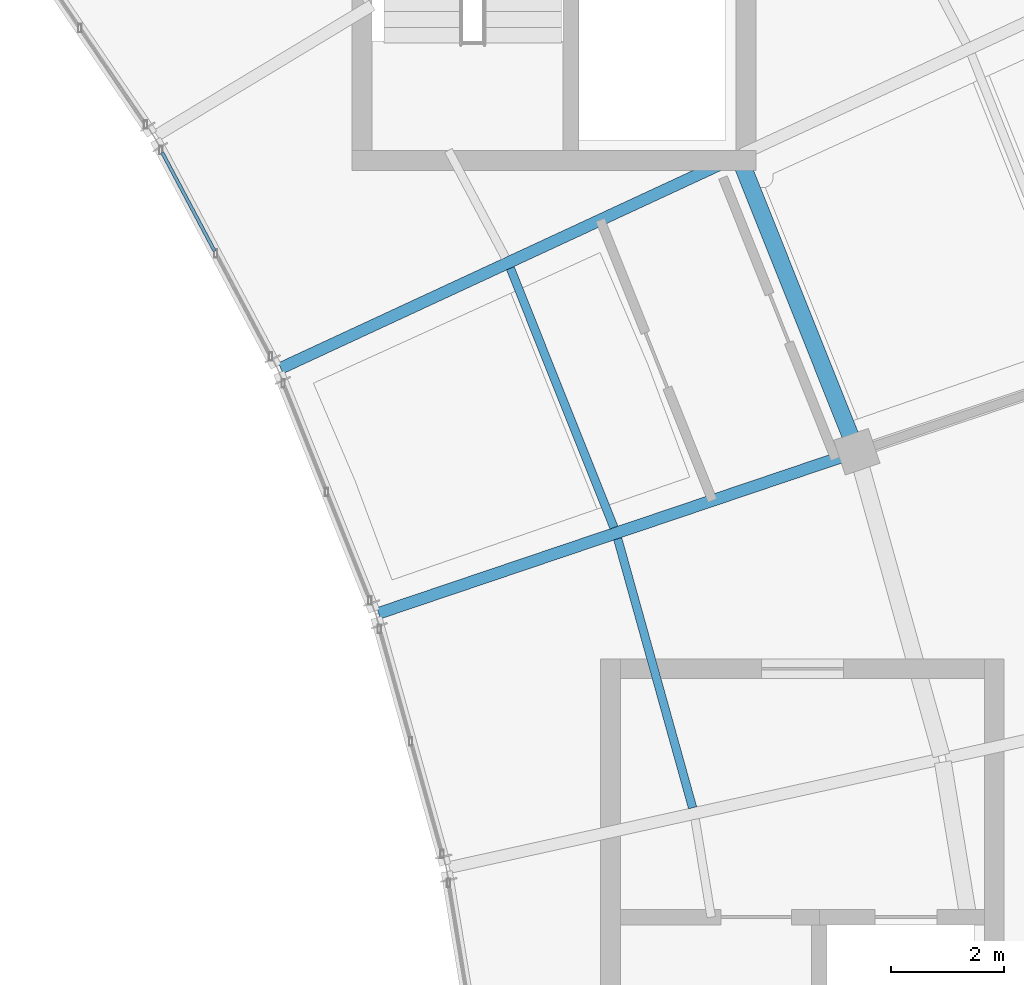
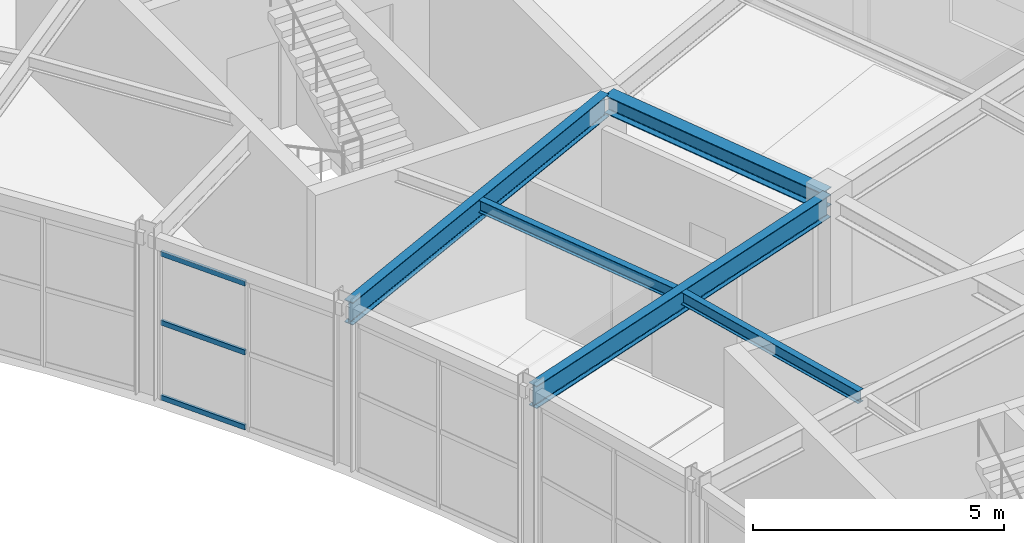
# One storey, part 35 of 63: 5 beams, 3 members, 1 element without a shape of its own.
"""IFC4 building model written with IfcOpenShell, lengths in metres."""

from ifc_helpers import new_model, si_unit, direction, frame, origin, origin_2d, place, context, subcontext, project, spatial, hollow_rectangle, i_section, extrude, material, material_profile, profile_set, type_object, element, aggregate, save


model = new_model("IFC4")

# Units and contexts
model_context = context("Model", 3, precision=1e-05, world=origin(), true_north=direction((0.0, 1.0)))
body_context = subcontext(model_context, "Body", "Model", "MODEL_VIEW")
ifc_project = project(units=[si_unit("LENGTHUNIT", "METRE"), si_unit("AREAUNIT", "SQUARE_METRE"), si_unit("VOLUMEUNIT", "CUBIC_METRE"), si_unit("PLANEANGLEUNIT", "RADIAN"), si_unit("MASSUNIT", "GRAM", prefix="KILO")], contexts=[model_context])

# Site, building, storey
site_placement = place(None, origin())
site = spatial("IfcSite", under=ifc_project, at=site_placement, CompositionType="ELEMENT")
building_placement = place(site_placement, origin())
building = spatial("IfcBuilding", under=site, at=building_placement, Name="Tarnveldt Headland Concert Hall", CompositionType="ELEMENT")
storey_placement = place(building_placement, frame((0.0, 0.0, 14.39990234375)))
storey = spatial("IfcBuildingStorey", under=building, at=storey_placement, Name="L03", CompositionType="ELEMENT", Elevation=14.39990234375)

# Beams
ifc_material_1 = material(Name="Steel S355", Category="steel")
ifc_material_profile_1 = material_profile(ifc_material_1, i_section(OverallWidth=0.300048828125, OverallDepth=0.43994140625, WebThickness=0.011474609375, FlangeThickness=0.02099609375, FilletRadius=0.027099609375, at=origin_2d()), Name="HEA450", Category="steel")
ifc_profile_set_1 = profile_set([ifc_material_profile_1], Name="Steel S355")
beam_type_1 = type_object("IfcBeamType", Name="SB-HEA450", PredefinedType="BEAM", material=ifc_profile_set_1)
beam_1_placement = place(storey_placement, frame((166.7421875, 76.698974609375, 3.739990234375), z_axis=(-0.370963937019, 0.928647272882, 0.0), x_axis=(-0.928647272882, -0.370963937019, 0.0)))
element("IfcBeam", 1, at=beam_1_placement, inside=storey, type_object=beam_type_1, Name="Framing beam L03-1291", PredefinedType="BEAM", context=body_context, shape_type="SweptSolid", body=[
    extrude(i_section(OverallWidth=0.300048828125, OverallDepth=0.43994140625, WebThickness=0.011474609375, FlangeThickness=0.02099609375, FilletRadius=0.027099609375, at=origin_2d()), origin(), (0.0, 0.0, 1.0), 5.5244140625),
])
ifc_material_profile_2 = material_profile(ifc_material_1, i_section(OverallWidth=0.14990234375, OverallDepth=0.300048828125, WebThickness=0.007080078125, FlangeThickness=0.0107421875, FilletRadius=0.014892578125, at=origin_2d()), Name="IPE300", Category="steel")
ifc_profile_set_2 = profile_set([ifc_material_profile_2], Name="Steel S355")
beam_type_2 = type_object("IfcBeamType", Name="SB-IPE300", PredefinedType="JOIST", material=ifc_profile_set_2)
beam_2_placement = place(storey_placement, frame((163.855712890625, 70.337158203125, 3.81005859375), z_axis=(-0.268142838284, 0.963379166412, 0.0), x_axis=(-0.963379166412, -0.268142838284, 0.0)))
element("IfcBeam", 2, at=beam_2_placement, inside=storey, type_object=beam_type_2, Name="Framing beam L03-1286", PredefinedType="JOIST", context=body_context, shape_type="SweptSolid", body=[
    extrude(i_section(OverallWidth=0.14990234375, OverallDepth=0.300048828125, WebThickness=0.007080078125, FlangeThickness=0.0107421875, FilletRadius=0.014892578125, at=origin_2d()), origin(), (0.0, 0.0, 1.0), 4.94580078125),
])
beam_3_placement = place(storey_placement, frame((162.46240234375, 75.30029296875, 3.81005859375), z_axis=(-0.370999157562, 0.928633202663, 0.0), x_axis=(-0.928633202663, -0.370999157562, 0.0)))
element("IfcBeam", 3, at=beam_3_placement, inside=storey, type_object=beam_type_2, Name="Framing beam L03-1293", PredefinedType="JOIST", context=body_context, shape_type="SweptSolid", body=[
    extrude(i_section(OverallWidth=0.14990234375, OverallDepth=0.300048828125, WebThickness=0.007080078125, FlangeThickness=0.0107421875, FilletRadius=0.014892578125, at=origin_2d()), origin(), (0.0, 0.0, 1.0), 4.946044921875),
])
ifc_material_profile_3 = material_profile(ifc_material_1, i_section(OverallWidth=0.2099609375, OverallDepth=0.550048828125, WebThickness=0.010986328125, FlangeThickness=0.01708984375, FilletRadius=0.02392578125, at=origin_2d()), Name="IPE550", Category="steel")
ifc_profile_set_3 = profile_set([ifc_material_profile_3], Name="Steel S355")
beam_type_3 = type_object("IfcBeamType", Name="SB-IPE550", PredefinedType="BEAM", material=ifc_profile_set_3)
beam_4_placement = place(storey_placement, frame((158.294921875, 73.781982421875, 3.68505859375), z_axis=(0.947399878297, 0.320052293545, 0.0), x_axis=(-0.320052293545, 0.947399878297, 0.0)))
element("IfcBeam", 4, at=beam_4_placement, inside=storey, type_object=beam_type_3, Name="Framing beam L03-1288", PredefinedType="BEAM", context=body_context, shape_type="SweptSolid", body=[
    extrude(i_section(OverallWidth=0.2099609375, OverallDepth=0.550048828125, WebThickness=0.010986328125, FlangeThickness=0.01708984375, FilletRadius=0.02392578125, at=origin_2d()), origin(), (0.0, 0.0, 1.0), 8.8798828125),
])
beam_5_placement = place(storey_placement, frame((156.560791015625, 78.122314453125, 3.68505859375), z_axis=(0.907136064141, 0.420837452153, 0.0), x_axis=(-0.420837452153, 0.907136064141, 0.0)))
element("IfcBeam", 5, at=beam_5_placement, inside=storey, type_object=beam_type_3, Name="Framing beam L03-1295", PredefinedType="BEAM", context=body_context, shape_type="SweptSolid", body=[
    extrude(i_section(OverallWidth=0.2099609375, OverallDepth=0.550048828125, WebThickness=0.010986328125, FlangeThickness=0.01708984375, FilletRadius=0.02392578125, at=origin_2d()), origin(), (0.0, 0.0, 1.0), 8.880126953125),
])

# Curtain wall, members
ifc_material_2 = material(Name="Marine-anodised aluminium EN AW-6063-T6", Category="aluminium")
curtain_wall_type = type_object("IfcCurtainWallType", Name="CW-C4", PredefinedType="NOTDEFINED", material=ifc_material_2)
curtain_wall_placement = place(storey_placement, origin())
curtain_wall = element("IfcCurtainWall", 6, at=curtain_wall_placement, inside=storey, type_object=curtain_wall_type, Name="Curtain wall CW-L03-142", PredefinedType="NOTDEFINED")
ifc_material_profile_4 = material_profile(ifc_material_2, hollow_rectangle(XDim=0.06005859375, YDim=0.1201171875, WallThickness=0.00390625, at=origin_2d()), Name="ALU TRANSOM 60x120x4", Category="aluminium")
ifc_profile_set_4 = profile_set([ifc_material_profile_4], Name="Marine-anodised aluminium EN AW-6063-T6")
member_type = type_object("IfcMemberType", Name="TR-110", PredefinedType="MEMBER", material=ifc_profile_set_4)
member_1_placement = place(storey_placement, frame((155.39111328125, 80.194580078125, 0.050048828125), z_axis=(-0.469508932223, 0.882927722163, 0.0), x_axis=(-0.882927722163, -0.469508932223, 0.0)))
member_1 = element("IfcMember", 7, at=member_1_placement, type_object=member_type, Name="Transom CW-L03-142-2-1", PredefinedType="MEMBER", context=body_context, shape_type="SweptSolid", body=[
    extrude(hollow_rectangle(XDim=0.06005859375, YDim=0.1201171875, WallThickness=0.00390625, at=origin_2d()), origin(), (0.0, 0.0, 1.0), 1.98486328125),
])
member_2_placement = place(storey_placement, frame((155.39111328125, 80.194580078125, 1.8720703125), z_axis=(-0.469508932223, 0.882927722163, 0.0), x_axis=(-0.882927722163, -0.469508932223, 0.0)))
member_2 = element("IfcMember", 8, at=member_2_placement, type_object=member_type, Name="Transom CW-L03-142-2-2", PredefinedType="MEMBER", context=body_context, shape_type="SweptSolid", body=[
    extrude(hollow_rectangle(XDim=0.06005859375, YDim=0.1201171875, WallThickness=0.00390625, at=origin_2d()), origin(), (0.0, 0.0, 1.0), 1.98486328125),
])
member_3_placement = place(storey_placement, frame((155.39111328125, 80.194580078125, 3.550048828125), z_axis=(-0.469508932223, 0.882927722163, 0.0), x_axis=(-0.882927722163, -0.469508932223, 0.0)))
member_3 = element("IfcMember", 9, at=member_3_placement, type_object=member_type, Name="Transom CW-L03-142-2-3", PredefinedType="MEMBER", context=body_context, shape_type="SweptSolid", body=[
    extrude(hollow_rectangle(XDim=0.06005859375, YDim=0.1201171875, WallThickness=0.00390625, at=origin_2d()), origin(), (0.0, 0.0, 1.0), 1.98486328125),
])
aggregate(curtain_wall, [member_1, member_2, member_3])

save(model, "model.ifc")
